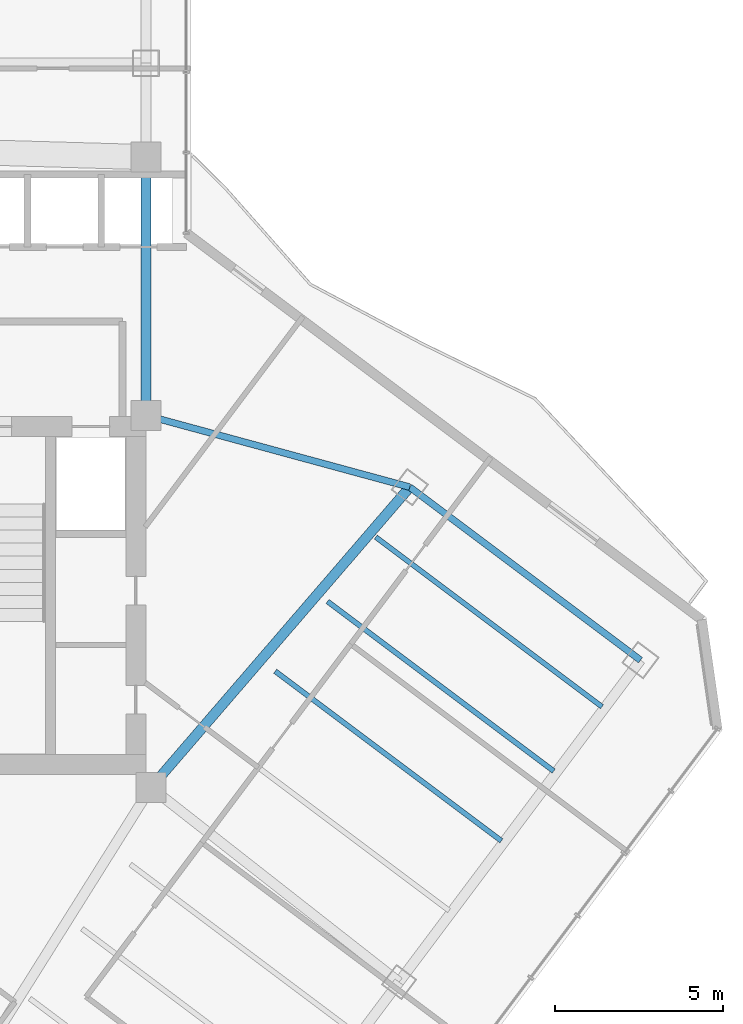
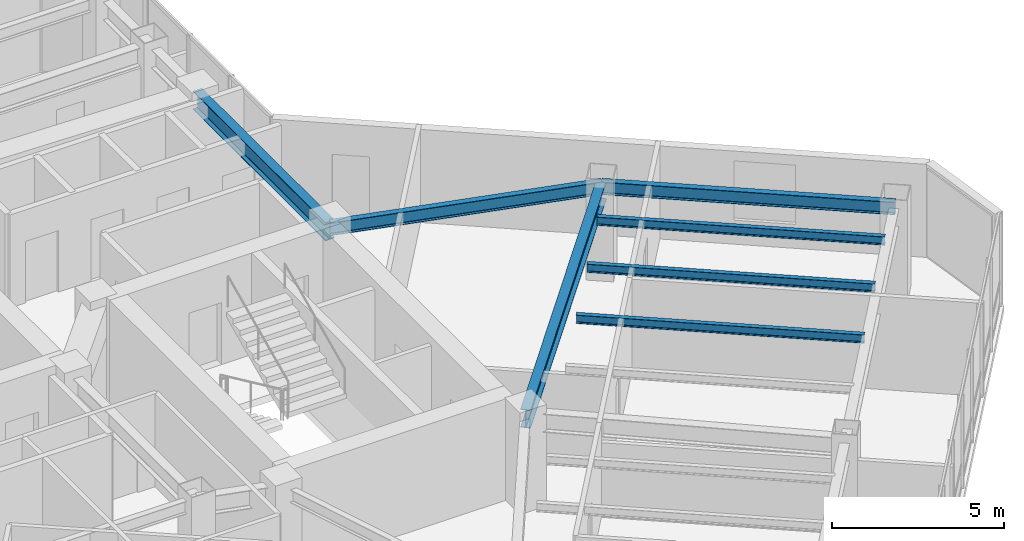
# One storey, part 17 of 29: 7 beams.
"""IFC4 building model written with IfcOpenShell, lengths in metres."""

from ifc_helpers import new_model, si_unit, direction, frame, origin, origin_2d, place, context, subcontext, project, spatial, i_section, extrude, material, material_profile, profile_set, type_object, element, save


model = new_model("IFC4")

# Units and contexts
model_context = context("Model", 3, precision=1e-05, world=origin(), true_north=direction((0.0, 1.0)))
body_context = subcontext(model_context, "Body", "Model", "MODEL_VIEW")
ifc_project = project(units=[si_unit("LENGTHUNIT", "METRE"), si_unit("AREAUNIT", "SQUARE_METRE"), si_unit("VOLUMEUNIT", "CUBIC_METRE"), si_unit("PLANEANGLEUNIT", "RADIAN"), si_unit("MASSUNIT", "GRAM", prefix="KILO")], contexts=[model_context])

# Site, building, storey
site_placement = place(None, origin())
site = spatial("IfcSite", under=ifc_project, at=site_placement, CompositionType="ELEMENT")
building_placement = place(site_placement, origin())
building = spatial("IfcBuilding", under=site, at=building_placement, Name="Hatsunagi Terrace Concourse", CompositionType="ELEMENT")
storey_placement = place(building_placement, frame((0.0, 0.0, 178.050048828125)))
storey = spatial("IfcBuildingStorey", under=building, at=storey_placement, Name="L47", CompositionType="ELEMENT", Elevation=178.050048828125)

# Beams
ifc_material_1 = material(Name="Steel SN490B", Category="steel")
ifc_material_profile_1 = material_profile(ifc_material_1, i_section(OverallWidth=0.14990234375, OverallDepth=0.300048828125, WebThickness=0.006591796875, FlangeThickness=0.009033203125, FilletRadius=0.010986328125, at=origin_2d()), Name="H-300x150x6.5x9")
ifc_profile_set_1 = profile_set([ifc_material_profile_1], Name="Steel SN490B")
beam_type_1 = type_object("IfcBeamType", Name="OfficeJoist_H_300x150", PredefinedType="JOIST", material=ifc_profile_set_1)
for number, where, z_axis, x_axis, name in (
    (1, (47.508056640625, 27.6689453125, 3.14990234375), (0.800003475366, -0.59999536615, 0.0), (0.59999536615, 0.800003475366, 0.0), "Beam J-03 J-L47-SE-2-168"),
    (2, (49.068115234375, 29.7490234375, 3.14990234375), (0.799989573921, -0.600013901187, 0.0), (0.600013901187, 0.799989573921, 0.0), "Beam J-03 J-L47-SE-2-194"),
    (3, (50.508056640625, 31.6689453125, 3.14990234375), (0.800003475366, -0.59999536615, 0.0), (0.59999536615, 0.800003475366, 0.0), "Beam J-03 J-L47-SE-2-218"),
):
    element("IfcBeam", number, at=place(storey_placement, frame(where, z_axis=z_axis, x_axis=x_axis)), inside=storey, type_object=beam_type_1, Name=name, PredefinedType="JOIST", context=body_context, shape_type="SweptSolid", body=[
        extrude(i_section(OverallWidth=0.14990234375, OverallDepth=0.300048828125, WebThickness=0.006591796875, FlangeThickness=0.009033203125, FilletRadius=0.010986328125, at=origin_2d()), origin(), (0.0, 0.0, 1.0), 8.429931640625),
    ])
ifc_material_2 = material(Name="Steel SN490B", Category="steel")
ifc_material_profile_2 = material_profile(ifc_material_2, i_section(OverallWidth=0.300048828125, OverallDepth=0.64990234375, WebThickness=0.012939453125, FlangeThickness=0.02197265625, FilletRadius=0.01806640625, at=origin_2d()), Name="H-650x300x13x22")
ifc_profile_set_2 = profile_set([ifc_material_profile_2], Name="Steel SN490B")
beam_type_2 = type_object("IfcBeamType", Name="OfficeLowGirder_H_650x300", PredefinedType="BEAM", material=ifc_profile_set_2)
beam_1_placement = place(storey_placement, frame((43.64990234375, 35.300048828125, 2.974853515625), z_axis=(0.0, 1.0, 0.0), x_axis=(-1.0, 0.0, 0.0)))
element("IfcBeam", 4, at=beam_1_placement, inside=storey, type_object=beam_type_2, Name="Beam G-05 BM-L47-CBK3", PredefinedType="BEAM", context=body_context, shape_type="SweptSolid", body=[
    extrude(i_section(OverallWidth=0.300048828125, OverallDepth=0.64990234375, WebThickness=0.012939453125, FlangeThickness=0.02197265625, FilletRadius=0.01806640625, at=origin_2d()), origin(), (0.0, 0.0, 1.0), 7.699951171875),
])
beam_2_placement = place(storey_placement, frame((43.800048828125, 24.199951171875, 2.974853515625), z_axis=(0.652739101421, 0.757582777969, 0.0), x_axis=(-0.757582777969, 0.652739101421, 0.0)))
element("IfcBeam", 5, at=beam_2_placement, inside=storey, type_object=beam_type_2, Name="Beam G-05 BM-L47-SET-1B", PredefinedType="BEAM", context=body_context, shape_type="SweptSolid", body=[
    extrude(i_section(OverallWidth=0.300048828125, OverallDepth=0.64990234375, WebThickness=0.012939453125, FlangeThickness=0.02197265625, FilletRadius=0.01806640625, at=origin_2d()), origin(), (0.0, 0.0, 1.0), 11.8271484375),
])
ifc_material_3 = material(Name="Steel SN490B", Category="steel")
ifc_material_profile_3 = material_profile(ifc_material_3, i_section(OverallWidth=0.199951171875, OverallDepth=0.449951171875, WebThickness=0.009033203125, FlangeThickness=0.013916015625, FilletRadius=0.01611328125, at=origin_2d()), Name="H-450x200x9x14")
ifc_profile_set_3 = profile_set([ifc_material_profile_3], Name="Steel SN490B")
beam_type_3 = type_object("IfcBeamType", Name="PerimeterSpandrel_H_450x200", PredefinedType="SPANDREL", material=ifc_profile_set_3)
beam_3_placement = place(storey_placement, frame((43.64990234375, 35.300048828125, 3.074951171875), z_axis=(0.964958359286, -0.262403057994, 0.0), x_axis=(0.262403057994, 0.964958359286, 0.0)))
element("IfcBeam", 6, at=beam_3_placement, inside=storey, type_object=beam_type_3, Name="Beam SP-02 BM-L47-SE-NE0", PredefinedType="SPANDREL", context=body_context, shape_type="SweptSolid", body=[
    extrude(i_section(OverallWidth=0.199951171875, OverallDepth=0.449951171875, WebThickness=0.009033203125, FlangeThickness=0.013916015625, FilletRadius=0.01611328125, at=origin_2d()), origin(), (0.0, 0.0, 1.0), 8.156005859375),
])
beam_4_placement = place(storey_placement, frame((51.52001953125, 33.159912109375, 3.074951171875), z_axis=(0.8, -0.6, 0.0), x_axis=(0.6, 0.8, 0.0)))
element("IfcBeam", 7, at=beam_4_placement, inside=storey, type_object=beam_type_3, Name="Beam SP-02 BM-L47-SE-NE2", PredefinedType="SPANDREL", context=body_context, shape_type="SweptSolid", body=[
    extrude(i_section(OverallWidth=0.199951171875, OverallDepth=0.449951171875, WebThickness=0.009033203125, FlangeThickness=0.013916015625, FilletRadius=0.01611328125, at=origin_2d()), origin(), (0.0, 0.0, 1.0), 8.599853515625),
])

save(model, "model.ifc")
